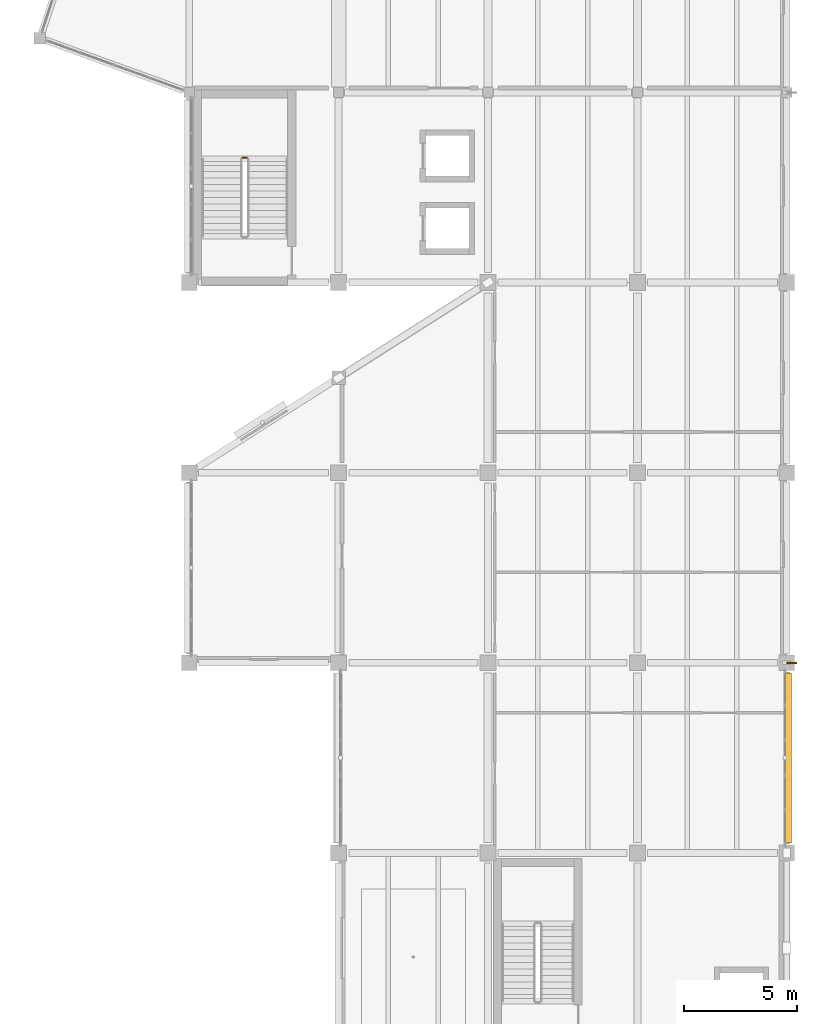
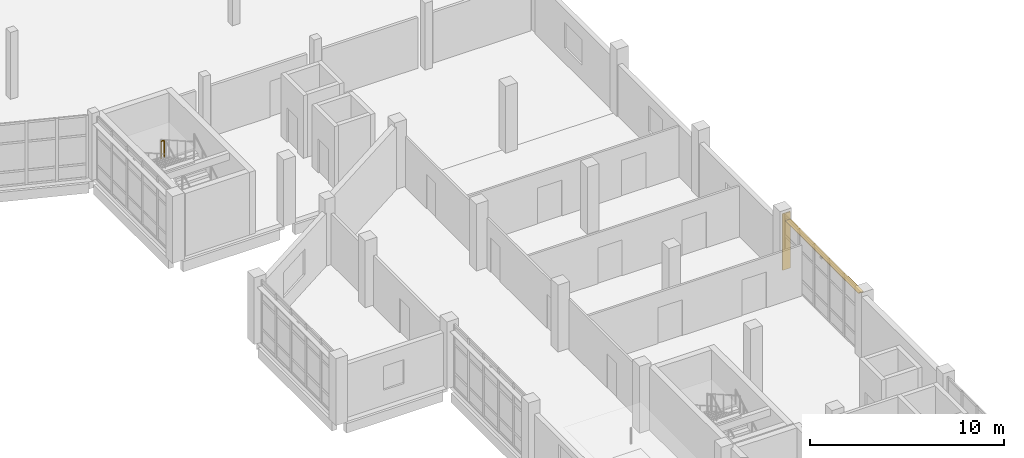
# One storey, part 72 of 74: 2 shading devices, 1 railing.
"""IFC4 building model written with IfcOpenShell, lengths in metres."""

import ifcopenshell
import ifcopenshell.guid

model = None  # the IFC model being written
_history = None  # IfcOwnerHistory: only IFC2X3 demands one
_inside = {}  # id of a spatial element -> (the spatial element, [elements in it])
_under = {}  # id of a project, library or spatial element -> (it, [spatial elements below it])
_declared = {}  # id of a project -> (the project, [libraries it declares])
_typed = {}  # id of a type object -> (the type object, [elements of that type])
_made_of = {}  # id of a material, layer set ... -> (it, [elements and type objects made of it])


def new_model(schema):
    """Start an empty IFC model of exactly this schema.

    Asked for "IFC4X3", IfcOpenShell would pick the latest addendum, in which some entities
    have other attributes; the version numbers below select the first issue.
    IFC2X3 requires an IfcOwnerHistory on every rooted entity: one is made here for all.
    """
    global model, _history
    if schema == "IFC4X3":
        model = ifcopenshell.file(schema_version=(4, 3, 0, 0))
    else:
        model = ifcopenshell.file(schema=schema)
    _inside.clear()
    _under.clear()
    _declared.clear()
    _typed.clear()
    _made_of.clear()
    _history = None
    if model.schema == "IFC2X3":
        org = make("IfcOrganization", Name="unknown")
        user = make(
            "IfcPersonAndOrganization",
            ThePerson=make("IfcPerson", FamilyName="unknown"),
            TheOrganization=org,
        )
        app = make(
            "IfcApplication",
            ApplicationDeveloper=org,
            Version="unknown",
            ApplicationFullName="unknown",
            ApplicationIdentifier="unknown",
        )
        _history = make(
            "IfcOwnerHistory",
            OwningUser=user,
            OwningApplication=app,
            ChangeAction="ADDED",
            CreationDate=0,
        )
    return model


def make(cls, **values):
    """One entity of the class cls with the attributes given. An attribute that is None is left unset."""
    return model.create_entity(
        cls, **{name: value for name, value in values.items() if value is not None}
    )


def rooted(cls, **values):
    """An entity with a GlobalId (a new one), such as an element, a storey or a relation."""
    return make(cls, GlobalId=ifcopenshell.guid.new(), OwnerHistory=_history, **values)


def si_unit(unit_type, name, prefix=None):
    """IfcSIUnit, for example si_unit("LENGTHUNIT", "METRE", prefix="MILLI")."""
    return make("IfcSIUnit", UnitType=unit_type, Prefix=prefix, Name=name)


def assignment(units):
    """IfcUnitAssignment: the units of a project."""
    return None if units is None else make("IfcUnitAssignment", Units=units)


def point(xyz):
    """IfcCartesianPoint."""
    return None if xyz is None else make("IfcCartesianPoint", Coordinates=xyz)


def direction(xyz):
    """IfcDirection."""
    return None if xyz is None else make("IfcDirection", DirectionRatios=xyz)


def frame(location, z_axis=None, x_axis=None):
    """IfcAxis2Placement3D, a coordinate frame: its origin and axes. An axis left out is left unset."""
    return make(
        "IfcAxis2Placement3D",
        Location=point(location),
        Axis=direction(z_axis),
        RefDirection=direction(x_axis),
    )


def frame_2d(location, x_axis=None):
    """IfcAxis2Placement2D, a coordinate frame in the plane: its origin and x axis."""
    return make(
        "IfcAxis2Placement2D", Location=point(location), RefDirection=direction(x_axis)
    )


def origin():
    """The frame at (0, 0, 0) with its axes left unset."""
    return frame((0.0, 0.0, 0.0))


def origin_2d():
    """The frame at (0, 0) in the plane with its x axis left unset."""
    return frame_2d((0.0, 0.0))


def place(relative_to, where):
    """IfcLocalPlacement: puts the frame where relative to a parent placement (None: the world)."""
    return make(
        "IfcLocalPlacement", PlacementRelTo=relative_to, RelativePlacement=where
    )


def context(
    kind, dimensions, precision=None, world=None, true_north=None, identifier=None
):
    """IfcGeometricRepresentationContext, for example the 3D "Model" context."""
    return make(
        "IfcGeometricRepresentationContext",
        ContextIdentifier=identifier,
        ContextType=kind,
        CoordinateSpaceDimension=dimensions,
        Precision=precision,
        WorldCoordinateSystem=world,
        TrueNorth=true_north,
    )


def subcontext(parent, identifier, kind, view, scale=None):
    """IfcGeometricRepresentationSubContext, for example "Body" below "Model"."""
    return make(
        "IfcGeometricRepresentationSubContext",
        ContextIdentifier=identifier,
        ContextType=kind,
        ParentContext=parent,
        TargetScale=scale,
        TargetView=view,
    )


def project(units=None, contexts=None):
    """IfcProject with its units and contexts."""
    return rooted(
        "IfcProject",
        Name="project",
        RepresentationContexts=contexts,
        UnitsInContext=assignment(units),
    )


def spatial(cls, under=None, at=None, **own):
    """A site, building, storey or space (cls), placed at a placement, below another one or the project."""
    s = rooted(cls, ObjectPlacement=at, **own)
    if under is not None:
        _under.setdefault(under.id(), (under, []))[1].append(s)
    return s


def profile(cls, at=None, kind="AREA", **sizes):
    """A parametric profile (cls). Its sizes go by their IFC names, for example OverallWidth=200.0."""
    return make(cls, ProfileType=kind, Position=at, **sizes)


def rectangle(**sizes):
    """IfcRectangleProfileDef."""
    return profile("IfcRectangleProfileDef", **sizes)


def circle(**sizes):
    """IfcCircleProfileDef."""
    return profile("IfcCircleProfileDef", **sizes)


def extrude(swept, where, along, depth):
    """IfcExtrudedAreaSolid: the profile swept, set in the frame where, extruded along a direction by depth."""
    return make(
        "IfcExtrudedAreaSolid",
        SweptArea=swept,
        Position=where,
        ExtrudedDirection=direction(along),
        Depth=depth,
    )


def shape(context_of_items, identifier, shape_type, items):
    """IfcShapeRepresentation: the items that make up one representation, for example the "Body"."""
    return make(
        "IfcShapeRepresentation",
        ContextOfItems=context_of_items,
        RepresentationIdentifier=identifier,
        RepresentationType=shape_type,
        Items=items,
    )


def material(Name=None, Category=None):
    """IfcMaterial."""
    return make("IfcMaterial", Name=Name, Category=Category)


def layer(
    of_material, thickness, ventilated=None, Name=None, Category=None, Priority=None
):
    """IfcMaterialLayer: one layer of a wall or slab, of a material (None: an air gap)."""
    return make(
        "IfcMaterialLayer",
        Material=of_material,
        LayerThickness=thickness,
        IsVentilated=ventilated,
        Name=Name,
        Category=Category,
        Priority=Priority,
    )


def layer_set(layers, Name=None):
    """IfcMaterialLayerSet."""
    return make("IfcMaterialLayerSet", MaterialLayers=layers, LayerSetName=Name)


def made_of(thing, what):
    """Note that an element or type object is made of a material, layer set ...; save() writes the relation."""
    if what is not None:
        _made_of.setdefault(what.id(), (what, []))[1].append(thing)
    return thing


def type_object(cls, material=None, **own):
    """A type object (cls), such as IfcWallType, which elements share."""
    return made_of(rooted(cls, **own), material)


def element(
    cls,
    number,
    at=None,
    inside=None,
    cuts=None,
    type_object=None,
    material=None,
    context=None,
    identifier="Body",
    shape_type=None,
    held_by="IfcProductDefinitionShape",
    body=None,
    shapes=None,
    **own,
):
    """One element of the class cls, such as IfcWall. Its Tag is "e" and its number.

    at: its placement. inside: the storey or other place that contains it. cuts: it is an
    opening in that element (IfcRelVoidsElement). A single representation is given by context,
    identifier, shape_type and body (its items); several are given by shapes. held_by: the class
    of the entity that holds the representations. save() writes the other relations.
    """
    e = rooted(cls, Tag="e%d" % number, ObjectPlacement=at, **own)
    if body is not None:
        shapes = [shape(context, identifier, shape_type, body)]
    if shapes is not None:
        e.Representation = make(held_by, Representations=shapes)
    if inside is not None:
        _inside.setdefault(inside.id(), (inside, []))[1].append(e)
    if cuts is not None:
        rooted(
            "IfcRelVoidsElement", RelatingBuildingElement=cuts, RelatedOpeningElement=e
        )
    if type_object is not None:
        _typed.setdefault(type_object.id(), (type_object, []))[1].append(e)
    return made_of(e, material)


def aggregate(whole, parts):
    """IfcRelAggregates: a whole, such as a stair, and the parts it consists of."""
    return rooted("IfcRelAggregates", RelatingObject=whole, RelatedObjects=parts)


def save(model, path):
    """Write the relations noted so far, then the file.

    IfcRelAggregates (storeys below a building ...), IfcRelContainedInSpatialStructure (elements
    in a storey), IfcRelDefinesByType, IfcRelAssociatesMaterial and IfcRelDeclares: one each for
    every whole, place, type object, material and project.
    """
    for whole, parts in _under.values():
        aggregate(whole, parts)
    for where, things in _inside.values():
        rooted(
            "IfcRelContainedInSpatialStructure",
            RelatedElements=things,
            RelatingStructure=where,
        )
    for kind, things in _typed.values():
        rooted("IfcRelDefinesByType", RelatedObjects=things, RelatingType=kind)
    for what, things in _made_of.values():
        rooted("IfcRelAssociatesMaterial", RelatedObjects=things, RelatingMaterial=what)
    for by, libraries in _declared.values():
        rooted("IfcRelDeclares", RelatingContext=by, RelatedDefinitions=libraries)
    model.write(path)


model = new_model("IFC4")

# Units and contexts
model_context = context("Model", 3, precision=1e-05, world=origin(), true_north=direction((0.0, 1.0)))
body_context = subcontext(model_context, "Body", "Model", "MODEL_VIEW")
ifc_project = project(units=[si_unit("LENGTHUNIT", "METRE"), si_unit("AREAUNIT", "SQUARE_METRE"), si_unit("VOLUMEUNIT", "CUBIC_METRE"), si_unit("PLANEANGLEUNIT", "RADIAN"), si_unit("MASSUNIT", "GRAM", prefix="KILO")], contexts=[model_context])

# Site, building, storey
site_placement = place(None, origin())
site = spatial("IfcSite", under=ifc_project, at=site_placement, CompositionType="ELEMENT")
building_placement = place(site_placement, origin())
building = spatial("IfcBuilding", under=site, at=building_placement, Name="Qaldarim Faculty of Natural and Applied Sciences", CompositionType="ELEMENT")
storey_placement = place(building_placement, frame((0.0, 0.0, 14.39990234375)))
storey = spatial("IfcBuildingStorey", under=building, at=storey_placement, Name="L03", CompositionType="ELEMENT", Elevation=14.39990234375)

# Railing
ifc_material_1 = material(Name="Architectural stainless steel 316", Category="steel")
railing_type = type_object("IfcRailingType", Name="GuardBalustrade-1100", PredefinedType="BALUSTRADE", material=ifc_material_1)
railing_placement = place(storey_placement, frame((154.35009765625, 64.320068359375, 2.10009765625)))
element("IfcRailing", 1, at=railing_placement, inside=storey, type_object=railing_type, Name="ST-C1 L03 stair well guard 2", PredefinedType="BALUSTRADE", context=body_context, shape_type="SweptSolid", body=[
    extrude(circle(Radius=0.02392578125, at=origin_2d()), frame((0.0, 0.0, 1.076171875), z_axis=(-1.0, 0.0, 0.0), x_axis=(0.0, -1.0, 0.0)), (0.0, 0.0, 1.0), 0.2001953125),
    extrude(circle(Radius=0.02099609375, at=origin_2d()), origin(), (0.0, 0.0, 1.0), 1.052001953125),
    extrude(circle(Radius=0.02099609375, at=origin_2d()), frame((-0.2001953125, 0.0, 0.0)), (0.0, 0.0, 1.0), 1.052001953125),
])

# Shading devices
ifc_material_2 = material(Name="Champagne anodised aluminium AW-6063", Category="aluminium")
ifc_layer_1 = layer(ifc_material_2, 0.050048828125)
ifc_layer_set_1 = layer_set([ifc_layer_1], Name="Champagne anodised aluminium AW-6063")
shading_device_type_1 = type_object("IfcShadingDeviceType", Name="SolarLouvre-ALU300x50", PredefinedType="JALOUSIE", material=ifc_layer_set_1)
shading_device_1_placement = place(storey_placement, frame((178.27001953125, 37.800048828125, 3.56494140625), z_axis=(0.0, 0.0, 1.0), x_axis=(0.0, 1.0, 0.0)))
element("IfcShadingDevice", 2, at=shading_device_1_placement, inside=storey, type_object=shading_device_type_1, Name="Horizontal solar louvre L03 E X27Y05", PredefinedType="JALOUSIE", context=body_context, shape_type="SweptSolid", body=[
    extrude(rectangle(XDim=7.510009765625, YDim=0.300048828125, at=origin_2d()), origin(), (0.0, 0.0, 1.0), 0.050048828125),
])
ifc_layer_2 = layer(ifc_material_2, 0.06005859375)
ifc_layer_set_2 = layer_set([ifc_layer_2], Name="Champagne anodised aluminium AW-6063")
shading_device_type_2 = type_object("IfcShadingDeviceType", Name="VerticalSunFin-ALU450x60", PredefinedType="SHUTTER", material=ifc_layer_set_2)
shading_device_2_placement = place(storey_placement, frame((178.425048828125, 42.0, 0.2001953125), z_axis=(0.0, 0.0, 1.0), x_axis=(1.0, 0.0, 0.0)))
element("IfcShadingDevice", 3, at=shading_device_2_placement, inside=storey, type_object=shading_device_type_2, Name="Vertical solar fin FIN-L03-X28Y06", PredefinedType="SHUTTER", context=body_context, shape_type="SweptSolid", body=[
    extrude(rectangle(XDim=0.449951171875, YDim=0.06005859375, at=origin_2d()), origin(), (0.0, 0.0, 1.0), 3.5400390625),
])

save(model, "model.ifc")
